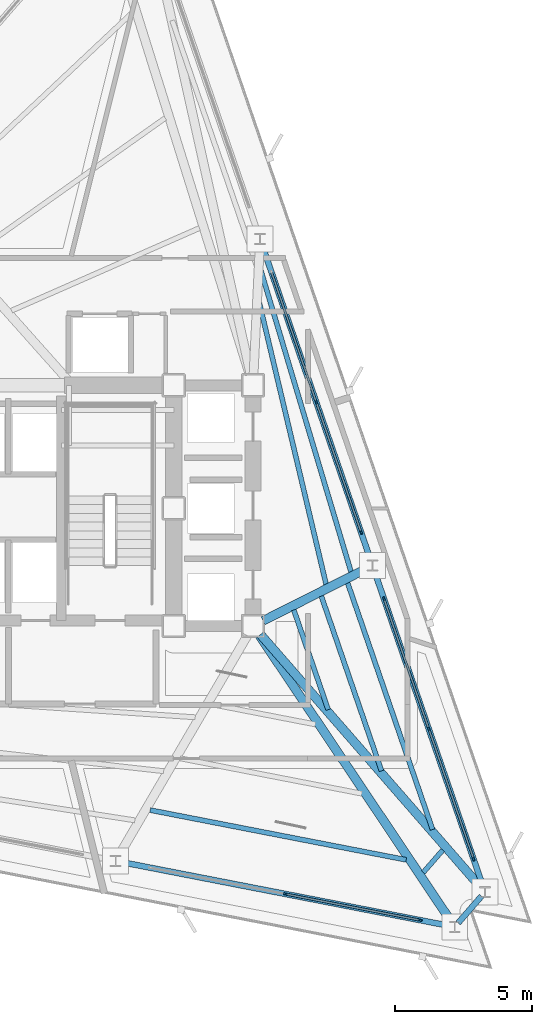
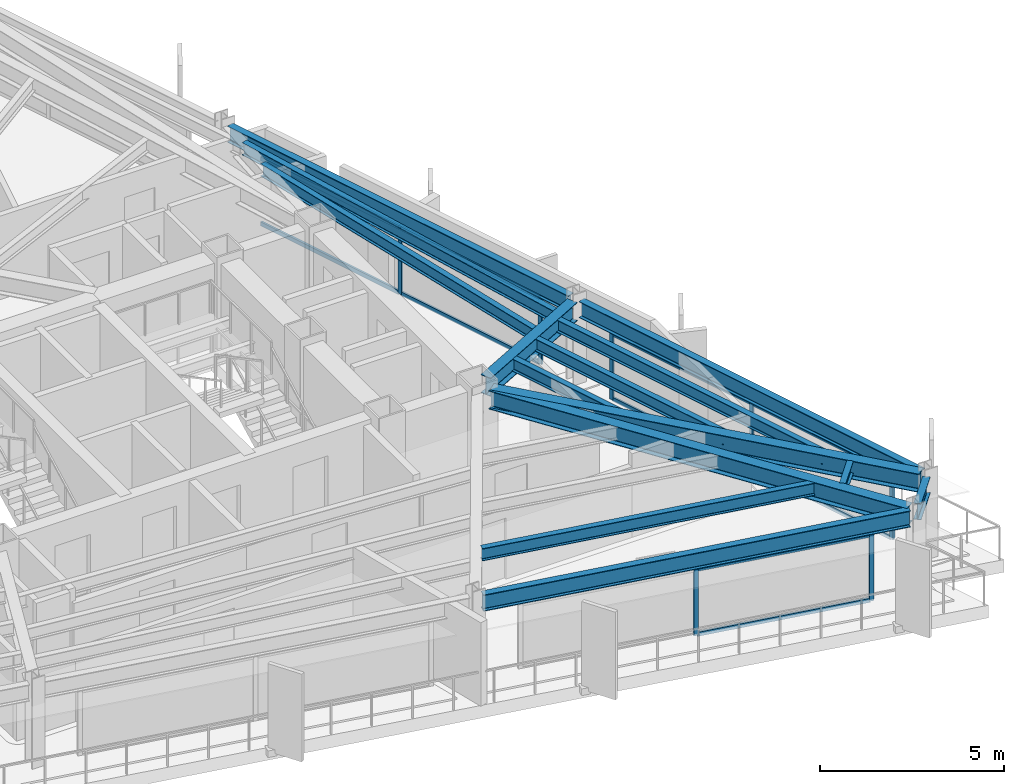
# One storey, part 6 of 13: 17 members, 14 beams, 3 elements without a shape of their own.
"""IFC4 building model written with IfcOpenShell, lengths in metres."""

from ifc_helpers import new_model, si_unit, direction, frame, origin, origin_2d, place, context, subcontext, project, spatial, rectangle, i_section, extrude, material, layer, layer_set, material_profile, profile_set, type_object, element, aggregate, save


model = new_model("IFC4")

# Units and contexts
model_context = context("Model", 3, precision=1e-05, world=origin(), true_north=direction((0.0, 1.0)))
body_context = subcontext(model_context, "Body", "Model", "MODEL_VIEW")
ifc_project = project(units=[si_unit("LENGTHUNIT", "METRE"), si_unit("AREAUNIT", "SQUARE_METRE"), si_unit("VOLUMEUNIT", "CUBIC_METRE"), si_unit("PLANEANGLEUNIT", "RADIAN"), si_unit("MASSUNIT", "GRAM", prefix="KILO")], contexts=[model_context])

# Site, building, storey
site_placement = place(None, origin())
site = spatial("IfcSite", under=ifc_project, at=site_placement, CompositionType="ELEMENT")
building_placement = place(site_placement, origin())
building = spatial("IfcBuilding", under=site, at=building_placement, Name="Rocaltana Carrier Exchange", CompositionType="ELEMENT")
storey_placement = place(building_placement, frame((0.0, 0.0, 147.199951171875)))
storey = spatial("IfcBuildingStorey", under=building, at=storey_placement, Name="L46", CompositionType="ELEMENT", Elevation=147.199951171875)

# Curtain wall, members
ifc_material_1 = material(Name="Aluminium 6063-T6", Category="aluminium")
ifc_layer = layer(ifc_material_1, 0.135009765625)
ifc_layer_set = layer_set([ifc_layer], Name="Aluminium 6063-T6")
curtain_wall_type = type_object("IfcCurtainWallType", Name="Upper-Mid Acoustic Curtain Wall CW-04", PredefinedType="NOTDEFINED", material=ifc_layer_set)
curtain_wall_1_placement = place(storey_placement, origin())
curtain_wall_1 = element("IfcCurtainWall", 1, at=curtain_wall_1_placement, inside=storey, type_object=curtain_wall_type, Name="L46 CW-04 Run CW-L46-F1S1", PredefinedType="NOTDEFINED")
ifc_material_2 = material(Name="Aluminium 6063-T6", Category="aluminium")
ifc_material_profile_1 = material_profile(ifc_material_2, rectangle(XDim=0.06494140625, YDim=0.135009765625, at=origin_2d()), Name="AL-65X135")
ifc_profile_set_1 = profile_set([ifc_material_profile_1], Name="Aluminium 6063-T6")
member_type_1 = type_object("IfcMemberType", Name="CW-04 Mullion AL-65X135", PredefinedType="MULLION", material=ifc_profile_set_1)
member_1_placement = place(storey_placement, frame((17.016357421875, -12.826171875, 0.0), z_axis=(0.0, 0.0, 1.0), x_axis=(-0.945521800517, -0.325558788464, 0.0)))
member_1 = element("IfcMember", 2, at=member_1_placement, type_object=member_type_1, Name="CW-04 mullion 1", PredefinedType="MULLION", context=body_context, shape_type="SweptSolid", body=[
    extrude(rectangle(XDim=0.06494140625, YDim=0.135009765625, at=origin_2d()), origin(), (0.0, 0.0, 1.0), 2.218017578125),
])
member_2_placement = place(storey_placement, frame((15.37744140625, -8.06640625, 0.0), z_axis=(0.0, 0.0, 1.0), x_axis=(-0.945521800517, -0.325558788464, 0.0)))
member_2 = element("IfcMember", 3, at=member_2_placement, type_object=member_type_1, Name="CW-04 mullion 2", PredefinedType="MULLION", context=body_context, shape_type="SweptSolid", body=[
    extrude(rectangle(XDim=0.06494140625, YDim=0.135009765625, at=origin_2d()), origin(), (0.0, 0.0, 1.0), 2.218017578125),
])
member_3_placement = place(storey_placement, frame((13.738525390625, -3.306396484375, 0.0), z_axis=(0.0, 0.0, 1.0), x_axis=(-0.945521800517, -0.325558788464, 0.0)))
member_3 = element("IfcMember", 4, at=member_3_placement, type_object=member_type_1, Name="CW-04 mullion 3", PredefinedType="MULLION", context=body_context, shape_type="SweptSolid", body=[
    extrude(rectangle(XDim=0.06494140625, YDim=0.135009765625, at=origin_2d()), origin(), (0.0, 0.0, 1.0), 2.218017578125),
])

curtain_wall_2_placement = place(storey_placement, origin())
curtain_wall_2 = element("IfcCurtainWall", 5, at=curtain_wall_2_placement, inside=storey, type_object=curtain_wall_type, Name="L46 CW-04 Run CW-L46-F1S2", PredefinedType="NOTDEFINED")
member_4_placement = place(storey_placement, frame((12.9033203125, -0.881103515625, 0.0), z_axis=(0.0, 0.0, 1.0), x_axis=(-0.945520754562, -0.32556182622, 0.0)))
member_4 = element("IfcMember", 6, at=member_4_placement, type_object=member_type_1, Name="CW-04 mullion 1", PredefinedType="MULLION", context=body_context, shape_type="SweptSolid", body=[
    extrude(rectangle(XDim=0.06494140625, YDim=0.135009765625, at=origin_2d()), origin(), (0.0, 0.0, 1.0), 2.218017578125),
])
member_5_placement = place(storey_placement, frame((11.264404296875, 3.878662109375, 0.0), z_axis=(0.0, 0.0, 1.0), x_axis=(-0.945520754562, -0.32556182622, 0.0)))
member_5 = element("IfcMember", 7, at=member_5_placement, type_object=member_type_1, Name="CW-04 mullion 2", PredefinedType="MULLION", context=body_context, shape_type="SweptSolid", body=[
    extrude(rectangle(XDim=0.06494140625, YDim=0.135009765625, at=origin_2d()), origin(), (0.0, 0.0, 1.0), 2.218017578125),
])

curtain_wall_3_placement = place(storey_placement, origin())
curtain_wall_3 = element("IfcCurtainWall", 8, at=curtain_wall_3_placement, inside=storey, type_object=curtain_wall_type, Name="L46 CW-04 Run CW-L46-F3S3", PredefinedType="NOTDEFINED")
member_6_placement = place(storey_placement, frame((10.1279296875, -14.105224609375, 0.0), z_axis=(0.0, 0.0, 1.0), x_axis=(0.190805209699, 0.981627919301, 0.0)))
member_6 = element("IfcMember", 9, at=member_6_placement, type_object=member_type_1, Name="CW-04 mullion 2", PredefinedType="MULLION", context=body_context, shape_type="SweptSolid", body=[
    extrude(rectangle(XDim=0.06494140625, YDim=0.135009765625, at=origin_2d()), origin(), (0.0, 0.0, 1.0), 2.218017578125),
])
member_7_placement = place(storey_placement, frame((15.069580078125, -15.06591796875, 0.0), z_axis=(0.0, 0.0, 1.0), x_axis=(0.190805209699, 0.981627919301, 0.0)))
member_7 = element("IfcMember", 10, at=member_7_placement, type_object=member_type_1, Name="CW-04 mullion 3", PredefinedType="MULLION", context=body_context, shape_type="SweptSolid", body=[
    extrude(rectangle(XDim=0.06494140625, YDim=0.135009765625, at=origin_2d()), origin(), (0.0, 0.0, 1.0), 2.218017578125),
])

# Member
ifc_material_3 = material(Name="Aluminium 6063-T6", Category="aluminium")
ifc_material_profile_2 = material_profile(ifc_material_3, rectangle(XDim=0.06494140625, YDim=0.135009765625, at=origin_2d()), Name="AL-65X135")
ifc_profile_set_2 = profile_set([ifc_material_profile_2], Name="Aluminium 6063-T6")
member_type_2 = type_object("IfcMemberType", Name="CW-04 Transom AL-65X135", PredefinedType="USERDEFINED", material=ifc_profile_set_2)
member_8_placement = place(storey_placement, frame((17.005859375, -12.795654296875, 0.032470703125), z_axis=(-0.325542462737, 0.945527421578, 0.0), x_axis=(-0.945527421578, -0.325542462737, 0.0)))
member_8 = element("IfcMember", 11, at=member_8_placement, type_object=member_type_2, Name="CW-04 transom 1.1", ObjectType="TRANSOM", PredefinedType="USERDEFINED", context=body_context, shape_type="SweptSolid", body=[
    extrude(rectangle(XDim=0.06494140625, YDim=0.135009765625, at=origin_2d()), origin(), (0.0, 0.0, 1.0), 4.96923828125),
])

member_9_placement = place(storey_placement, frame((17.005859375, -12.795654296875, 2.185546875), z_axis=(-0.325542462737, 0.945527421578, 0.0), x_axis=(-0.945527421578, -0.325542462737, 0.0)))
member_9 = element("IfcMember", 12, at=member_9_placement, type_object=member_type_2, Name="CW-04 transom 1.2", ObjectType="TRANSOM", PredefinedType="USERDEFINED", context=body_context, shape_type="SweptSolid", body=[
    extrude(rectangle(XDim=0.06494140625, YDim=0.135009765625, at=origin_2d()), origin(), (0.0, 0.0, 1.0), 4.96923828125),
])

member_10_placement = place(storey_placement, frame((15.366943359375, -8.03564453125, 0.032470703125), z_axis=(-0.325542462737, 0.945527421578, 0.0), x_axis=(-0.945527421578, -0.325542462737, 0.0)))
member_10 = element("IfcMember", 13, at=member_10_placement, type_object=member_type_2, Name="CW-04 transom 2.1", ObjectType="TRANSOM", PredefinedType="USERDEFINED", context=body_context, shape_type="SweptSolid", body=[
    extrude(rectangle(XDim=0.06494140625, YDim=0.135009765625, at=origin_2d()), origin(), (0.0, 0.0, 1.0), 4.96923828125),
])

member_11_placement = place(storey_placement, frame((15.366943359375, -8.03564453125, 2.185546875), z_axis=(-0.325542462737, 0.945527421578, 0.0), x_axis=(-0.945527421578, -0.325542462737, 0.0)))
member_11 = element("IfcMember", 14, at=member_11_placement, type_object=member_type_2, Name="CW-04 transom 2.2", ObjectType="TRANSOM", PredefinedType="USERDEFINED", context=body_context, shape_type="SweptSolid", body=[
    extrude(rectangle(XDim=0.06494140625, YDim=0.135009765625, at=origin_2d()), origin(), (0.0, 0.0, 1.0), 4.96923828125),
])

aggregate(curtain_wall_1, [member_1, member_2, member_3, member_8, member_9, member_10, member_11])

member_12_placement = place(storey_placement, frame((12.892822265625, -0.850341796875, 0.032470703125), z_axis=(-0.325557586399, 0.945522214407, 0.0), x_axis=(-0.945522214407, -0.325557586399, 0.0)))
member_12 = element("IfcMember", 15, at=member_12_placement, type_object=member_type_2, Name="CW-04 transom 1.1", ObjectType="TRANSOM", PredefinedType="USERDEFINED", context=body_context, shape_type="SweptSolid", body=[
    extrude(rectangle(XDim=0.06494140625, YDim=0.135009765625, at=origin_2d()), origin(), (0.0, 0.0, 1.0), 4.968994140625),
])

member_13_placement = place(storey_placement, frame((12.892822265625, -0.850341796875, 2.185546875), z_axis=(-0.325557586399, 0.945522214407, 0.0), x_axis=(-0.945522214407, -0.325557586399, 0.0)))
member_13 = element("IfcMember", 16, at=member_13_placement, type_object=member_type_2, Name="CW-04 transom 1.2", ObjectType="TRANSOM", PredefinedType="USERDEFINED", context=body_context, shape_type="SweptSolid", body=[
    extrude(rectangle(XDim=0.06494140625, YDim=0.135009765625, at=origin_2d()), origin(), (0.0, 0.0, 1.0), 4.968994140625),
])

member_14_placement = place(storey_placement, frame((11.25390625, 3.909423828125, 0.032470703125), z_axis=(-0.325542462737, 0.945527421578, 0.0), x_axis=(-0.945527421578, -0.325542462737, 0.0)))
member_14 = element("IfcMember", 17, at=member_14_placement, type_object=member_type_2, Name="CW-04 transom 2.1", ObjectType="TRANSOM", PredefinedType="USERDEFINED", context=body_context, shape_type="SweptSolid", body=[
    extrude(rectangle(XDim=0.06494140625, YDim=0.135009765625, at=origin_2d()), origin(), (0.0, 0.0, 1.0), 4.96923828125),
])

member_15_placement = place(storey_placement, frame((11.25390625, 3.909423828125, 2.185546875), z_axis=(-0.325542462737, 0.945527421578, 0.0), x_axis=(-0.945527421578, -0.325542462737, 0.0)))
member_15 = element("IfcMember", 18, at=member_15_placement, type_object=member_type_2, Name="CW-04 transom 2.2", ObjectType="TRANSOM", PredefinedType="USERDEFINED", context=body_context, shape_type="SweptSolid", body=[
    extrude(rectangle(XDim=0.06494140625, YDim=0.135009765625, at=origin_2d()), origin(), (0.0, 0.0, 1.0), 4.96923828125),
])

aggregate(curtain_wall_2, [member_4, member_5, member_12, member_13, member_14, member_15])

member_16_placement = place(storey_placement, frame((10.159912109375, -14.111572265625, 0.032470703125), z_axis=(0.981633795462, -0.190774976365, 0.0), x_axis=(0.190774976365, 0.981633795462, 0.0)))
member_16 = element("IfcMember", 19, at=member_16_placement, type_object=member_type_2, Name="CW-04 transom 2.1", ObjectType="TRANSOM", PredefinedType="USERDEFINED", context=body_context, shape_type="SweptSolid", body=[
    extrude(rectangle(XDim=0.06494140625, YDim=0.135009765625, at=origin_2d()), origin(), (0.0, 0.0, 1.0), 4.96923828125),
])

member_17_placement = place(storey_placement, frame((10.159912109375, -14.111572265625, 2.185546875), z_axis=(0.981633795462, -0.190774976365, 0.0), x_axis=(0.190774976365, 0.981633795462, 0.0)))
member_17 = element("IfcMember", 20, at=member_17_placement, type_object=member_type_2, Name="CW-04 transom 2.2", ObjectType="TRANSOM", PredefinedType="USERDEFINED", context=body_context, shape_type="SweptSolid", body=[
    extrude(rectangle(XDim=0.06494140625, YDim=0.135009765625, at=origin_2d()), origin(), (0.0, 0.0, 1.0), 4.96923828125),
])

aggregate(curtain_wall_3, [member_6, member_7, member_16, member_17])

# Beams
ifc_material_4 = material(Name="Steel S355", Category="steel")
ifc_material_profile_3 = material_profile(ifc_material_4, i_section(OverallWidth=0.179931640625, OverallDepth=0.4130859375, WebThickness=0.009765625, FlangeThickness=0.01611328125, FilletRadius=0.012939453125, at=origin_2d()), Name="W16X50")
ifc_profile_set_3 = profile_set([ifc_material_profile_3], Name="Steel S355")
beam_type_1 = type_object("IfcBeamType", Name="Floor Joist W16X50", PredefinedType="JOIST", material=ifc_profile_set_3)
beam_1_placement = place(storey_placement, frame((11.698974609375, -7.3662109375, 2.58154296875), z_axis=(-0.325612206056, 0.94550340627, 0.0), x_axis=(-0.94550340627, -0.325612206056, 0.0)))
element("IfcBeam", 21, at=beam_1_placement, inside=storey, type_object=beam_type_1, Name="FJ-L46-01-1", PredefinedType="JOIST", context=body_context, shape_type="SweptSolid", body=[
    extrude(i_section(OverallWidth=0.179931640625, OverallDepth=0.4130859375, WebThickness=0.009765625, FlangeThickness=0.01611328125, FilletRadius=0.012939453125, at=origin_2d()), origin(), (0.0, 0.0, 1.0), 3.85693359375),
])
beam_2_placement = place(storey_placement, frame((13.650390625, -9.606201171875, 2.58154296875), z_axis=(-0.325591245861, 0.945510624276, 0.0), x_axis=(-0.945510624276, -0.325591245861, 0.0)))
element("IfcBeam", 22, at=beam_2_placement, inside=storey, type_object=beam_type_1, Name="FJ-L46-01-2", PredefinedType="JOIST", context=body_context, shape_type="SweptSolid", body=[
    extrude(i_section(OverallWidth=0.179931640625, OverallDepth=0.4130859375, WebThickness=0.009765625, FlangeThickness=0.01611328125, FilletRadius=0.012939453125, at=origin_2d()), origin(), (0.0, 0.0, 1.0), 6.7626953125),
])
beam_3_placement = place(storey_placement, frame((15.5166015625, -11.748779296875, 2.58154296875), z_axis=(-0.325561689651, 0.945520801586, 0.0), x_axis=(-0.945520801586, -0.325561689651, 0.0)))
element("IfcBeam", 23, at=beam_3_placement, inside=storey, type_object=beam_type_1, Name="FJ-L46-01-3", PredefinedType="JOIST", context=body_context, shape_type="SweptSolid", body=[
    extrude(i_section(OverallWidth=0.179931640625, OverallDepth=0.4130859375, WebThickness=0.009765625, FlangeThickness=0.01611328125, FilletRadius=0.012939453125, at=origin_2d()), origin(), (0.0, 0.0, 1.0), 9.541748046875),
])
beam_4_placement = place(storey_placement, frame((11.6240234375, -2.780517578125, 2.58154296875), z_axis=(-0.230805777183, 0.972999842353, 0.0), x_axis=(-0.972999842353, -0.230805777183, 0.0)))
element("IfcBeam", 24, at=beam_4_placement, inside=storey, type_object=beam_type_1, Name="FJ-L46-02-2", PredefinedType="JOIST", context=body_context, shape_type="SweptSolid", body=[
    extrude(i_section(OverallWidth=0.179931640625, OverallDepth=0.4130859375, WebThickness=0.009765625, FlangeThickness=0.01611328125, FilletRadius=0.012939453125, at=origin_2d()), origin(), (0.0, 0.0, 1.0), 10.736328125),
])
beam_5_placement = place(storey_placement, frame((12.533203125, -2.3193359375, 2.58154296875), z_axis=(-0.286621662233, 0.9580438522, 0.0), x_axis=(-0.9580438522, -0.286621662233, 0.0)))
element("IfcBeam", 25, at=beam_5_placement, inside=storey, type_object=beam_type_1, Name="FJ-L46-02-3", PredefinedType="JOIST", context=body_context, shape_type="SweptSolid", body=[
    extrude(i_section(OverallWidth=0.179931640625, OverallDepth=0.4130859375, WebThickness=0.009765625, FlangeThickness=0.01611328125, FilletRadius=0.012939453125, at=origin_2d()), origin(), (0.0, 0.0, 1.0), 11.597900390625),
])
beam_6_placement = place(storey_placement, frame((5.185546875, -11.037841796875, 2.58154296875), z_axis=(0.981630034489, -0.190794327456, 0.0), x_axis=(0.190794327456, 0.981630034489, 0.0)))
element("IfcBeam", 26, at=beam_6_placement, inside=storey, type_object=beam_type_1, Name="FJ-L46-11-3", PredefinedType="JOIST", context=body_context, shape_type="SweptSolid", body=[
    extrude(i_section(OverallWidth=0.179931640625, OverallDepth=0.4130859375, WebThickness=0.009765625, FlangeThickness=0.01611328125, FilletRadius=0.012939453125, at=origin_2d()), origin(), (0.0, 0.0, 1.0), 9.5419921875),
])
beam_7_placement = place(storey_placement, frame((15.176513671875, -13.321044921875, 2.58154296875), z_axis=(0.65606745581, 0.754702254817, 0.0), x_axis=(-0.754702254817, 0.65606745581, 0.0)))
element("IfcBeam", 27, at=beam_7_placement, inside=storey, type_object=beam_type_1, Name="FJ-L46-12-3", PredefinedType="JOIST", context=body_context, shape_type="SweptSolid", body=[
    extrude(i_section(OverallWidth=0.179931640625, OverallDepth=0.4130859375, WebThickness=0.009765625, FlangeThickness=0.01611328125, FilletRadius=0.012939453125, at=origin_2d()), origin(), (0.0, 0.0, 1.0), 1.086669921875),
])
ifc_material_5 = material(Name="Steel S355", Category="steel")
ifc_material_profile_4 = material_profile(ifc_material_5, i_section(OverallWidth=0.323974609375, OverallDepth=0.611083984375, WebThickness=0.0126953125, FlangeThickness=0.01904296875, FilletRadius=0.01611328125, at=origin_2d()), Name="W24X104")
ifc_profile_set_4 = profile_set([ifc_material_profile_4], Name="Steel S355")
beam_type_2 = type_object("IfcBeamType", Name="Radial Girder W24X104", PredefinedType="BEAM", material=ifc_profile_set_4)
beam_8_placement = place(storey_placement, frame((9.223876953125, -4.614501953125, 2.482666015625), z_axis=(0.656855698811, -0.754016306813, 0.0), x_axis=(0.754016306813, 0.656855698811, 0.0)))
element("IfcBeam", 28, at=beam_8_placement, inside=storey, type_object=beam_type_2, Name="RG-L46-01", PredefinedType="BEAM", context=body_context, shape_type="SweptSolid", body=[
    extrude(i_section(OverallWidth=0.323974609375, OverallDepth=0.611083984375, WebThickness=0.0126953125, FlangeThickness=0.01904296875, FilletRadius=0.01611328125, at=origin_2d()), origin(), (0.0, 0.0, 1.0), 12.307373046875),
])
beam_9_placement = place(storey_placement, frame((9.322265625, -4.112060546875, 2.482666015625), z_axis=(0.892735357943, 0.45058138075, 0.0), x_axis=(-0.45058138075, 0.892735357943, 0.0)))
element("IfcBeam", 29, at=beam_9_placement, inside=storey, type_object=beam_type_2, Name="RG-L46-02", PredefinedType="BEAM", context=body_context, shape_type="SweptSolid", body=[
    extrude(i_section(OverallWidth=0.323974609375, OverallDepth=0.611083984375, WebThickness=0.0126953125, FlangeThickness=0.01904296875, FilletRadius=0.01611328125, at=origin_2d()), origin(), (0.0, 0.0, 1.0), 4.28759765625),
])
beam_10_placement = place(storey_placement, frame((9.18212890625, -4.646484375, 2.482666015625), z_axis=(0.556699029472, -0.830714265307, 0.0), x_axis=(0.830714265307, 0.556699029472, 0.0)))
element("IfcBeam", 30, at=beam_10_placement, inside=storey, type_object=beam_type_2, Name="RG-L46-12", PredefinedType="BEAM", context=body_context, shape_type="SweptSolid", body=[
    extrude(i_section(OverallWidth=0.323974609375, OverallDepth=0.611083984375, WebThickness=0.0126953125, FlangeThickness=0.01904296875, FilletRadius=0.01611328125, at=origin_2d()), origin(), (0.0, 0.0, 1.0), 12.6455078125),
])
ifc_material_6 = material(Name="Steel S355", Category="steel")
ifc_material_profile_5 = material_profile(ifc_material_6, i_section(OverallWidth=0.2119140625, OverallDepth=0.5439453125, WebThickness=0.01318359375, FlangeThickness=0.021240234375, FilletRadius=0.014892578125, at=origin_2d()), Name="W21X83")
ifc_profile_set_5 = profile_set([ifc_material_profile_5], Name="Steel S355")
beam_type_3 = type_object("IfcBeamType", Name="Spandrel Edge Beam W21X83", PredefinedType="SPANDREL", material=ifc_profile_set_5)
beam_11_placement = place(storey_placement, frame((17.37158203125, -13.85791015625, 2.51611328125), z_axis=(-0.325563178489, 0.945520288948, 0.0), x_axis=(-0.945520288948, -0.325563178489, 0.0)))
element("IfcBeam", 31, at=beam_11_placement, inside=storey, type_object=beam_type_3, Name="SP-L46-01", PredefinedType="SPANDREL", context=body_context, shape_type="SweptSolid", body=[
    extrude(i_section(OverallWidth=0.2119140625, OverallDepth=0.5439453125, WebThickness=0.01318359375, FlangeThickness=0.021240234375, FilletRadius=0.014892578125, at=origin_2d()), origin(), (0.0, 0.0, 1.0), 12.25048828125),
])
for number, where, z_axis, x_axis, name in (
    (32, (13.2587890625, -1.91259765625, 2.51611328125), (-0.325587130278, 0.945512041487, 0.0), (-0.945512041487, -0.325587130278, 0.0), "SP-L46-02"),
    (33, (4.115478515625, -12.9365234375, 2.51611328125), (0.981627937951, -0.190805113754, 0.0), (0.190805113754, 0.981627937951, 0.0), "SP-L46-11"),
):
    element("IfcBeam", number, at=place(storey_placement, frame(where, z_axis=z_axis, x_axis=x_axis)), inside=storey, type_object=beam_type_3, Name=name, PredefinedType="SPANDREL", context=body_context, shape_type="SweptSolid", body=[
        extrude(i_section(OverallWidth=0.2119140625, OverallDepth=0.5439453125, WebThickness=0.01318359375, FlangeThickness=0.021240234375, FilletRadius=0.014892578125, at=origin_2d()), origin(), (0.0, 0.0, 1.0), 12.250244140625),
    ])
beam_12_placement = place(storey_placement, frame((16.4541015625, -15.166015625, 2.51611328125), z_axis=(0.65607193879, 0.754698357711, 0.0), x_axis=(-0.754698357711, 0.65607193879, 0.0)))
element("IfcBeam", 34, at=beam_12_placement, inside=storey, type_object=beam_type_3, Name="SP-L46-12", PredefinedType="SPANDREL", context=body_context, shape_type="SweptSolid", body=[
    extrude(i_section(OverallWidth=0.2119140625, OverallDepth=0.5439453125, WebThickness=0.01318359375, FlangeThickness=0.021240234375, FilletRadius=0.014892578125, at=origin_2d()), origin(), (0.0, 0.0, 1.0), 1.302001953125),
])

save(model, "model.ifc")
